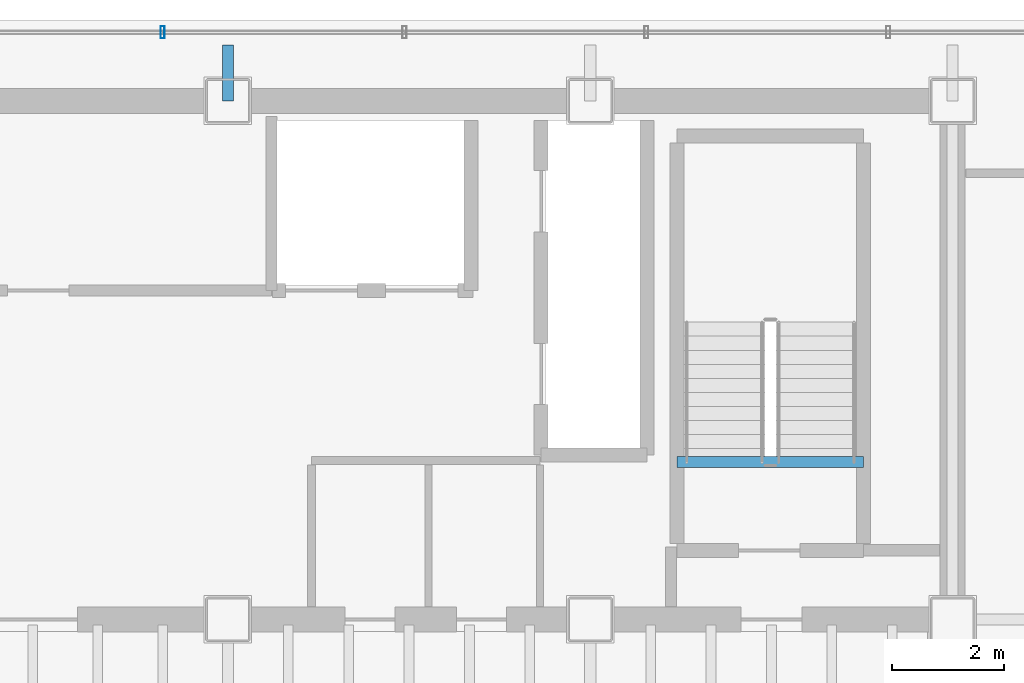
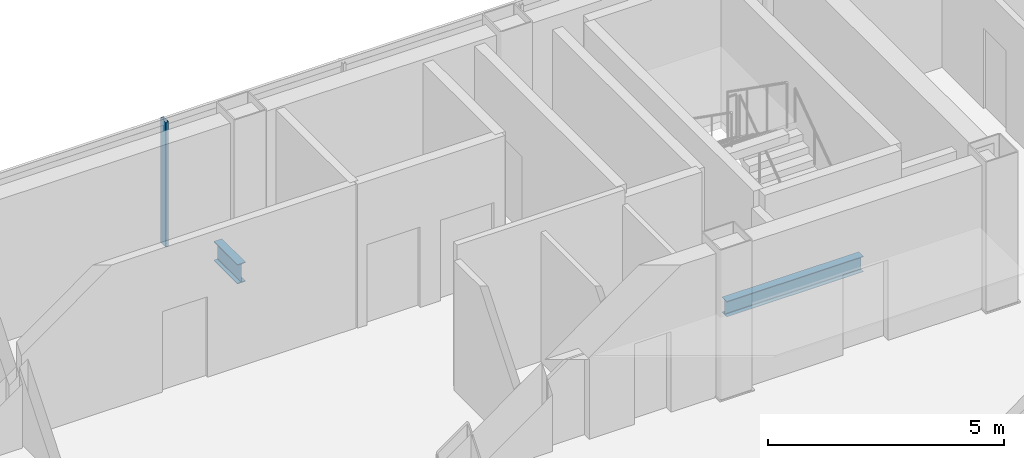
# One storey, part 7 of 15: 2 beams, 1 member, 1 element without a shape of its own.
"""IFC4 building model written with IfcOpenShell, lengths in metres."""

from ifc_helpers import new_model, si_unit, direction, frame, origin, origin_2d, place, context, subcontext, project, spatial, hollow_rectangle, i_section, extrude, material, material_profile, profile_set, type_object, element, aggregate, save


model = new_model("IFC4")

# Units and contexts
model_context = context("Model", 3, precision=1e-05, world=origin(), true_north=direction((0.0, 1.0)))
body_context = subcontext(model_context, "Body", "Model", "MODEL_VIEW")
ifc_project = project(units=[si_unit("LENGTHUNIT", "METRE"), si_unit("AREAUNIT", "SQUARE_METRE"), si_unit("VOLUMEUNIT", "CUBIC_METRE"), si_unit("PLANEANGLEUNIT", "RADIAN"), si_unit("MASSUNIT", "GRAM", prefix="KILO")], contexts=[model_context])

# Site, building, storey
site_placement = place(None, origin())
site = spatial("IfcSite", under=ifc_project, at=site_placement, CompositionType="ELEMENT")
building_placement = place(site_placement, origin())
building = spatial("IfcBuilding", under=site, at=building_placement, Name="Noeulbin Bourse Tower", CompositionType="ELEMENT")
storey_placement = place(building_placement, frame((0.0, 0.0, 222.800048828125)))
storey = spatial("IfcBuildingStorey", under=building, at=storey_placement, Name="L55", CompositionType="ELEMENT", Elevation=222.800048828125)

# Beams
ifc_material_1 = material(Name="Steel S355", Category="steel")
ifc_material_profile_1 = material_profile(ifc_material_1, i_section(OverallWidth=0.199951171875, OverallDepth=0.5, WebThickness=0.010009765625, FlangeThickness=0.01611328125, FilletRadius=0.02001953125, at=origin_2d()), Name="H-500x200x10x16", Category="LoadBearing")
ifc_profile_set_1 = profile_set([ifc_material_profile_1], Name="Steel S355")
beam_type_1 = type_object("IfcBeamType", Name="BM-GRD-500", PredefinedType="USERDEFINED", material=ifc_profile_set_1)
beam_1_placement = place(storey_placement, frame((31.0, 38.300048828125, -0.429931640625), z_axis=(0.0, 1.0, 0.0), x_axis=(-1.0, 0.0, 0.0)))
element("IfcBeam", 1, at=beam_1_placement, inside=storey, type_object=beam_type_1, Name="Tower Primary Girder NS L55-3.4", ObjectType="GIRDER", PredefinedType="USERDEFINED", context=body_context, shape_type="SweptSolid", body=[
    extrude(i_section(OverallWidth=0.199951171875, OverallDepth=0.5, WebThickness=0.010009765625, FlangeThickness=0.01611328125, FilletRadius=0.02001953125, at=origin_2d()), origin(), (0.0, 0.0, 1.0), 1.0),
])
ifc_material_profile_2 = material_profile(ifc_material_1, i_section(OverallWidth=0.199951171875, OverallDepth=0.39990234375, WebThickness=0.008056640625, FlangeThickness=0.012939453125, FilletRadius=0.01611328125, at=origin_2d()), Name="H-400x200x8x13", Category="LoadBearing")
ifc_profile_set_2 = profile_set([ifc_material_profile_2], Name="Steel S355")
beam_type_2 = type_object("IfcBeamType", Name="BM-SEC-400", PredefinedType="BEAM", material=ifc_profile_set_2)
beam_2_placement = place(storey_placement, frame((39.06005859375, 31.820068359375, -0.199951171875), z_axis=(1.0, 0.0, 0.0), x_axis=(0.0, 1.0, 0.0)))
element("IfcBeam", 2, at=beam_2_placement, inside=storey, type_object=beam_type_2, Name="Stair Threshold Trimmer Beam ST2-L55", PredefinedType="BEAM", context=body_context, shape_type="SweptSolid", body=[
    extrude(i_section(OverallWidth=0.199951171875, OverallDepth=0.39990234375, WebThickness=0.008056640625, FlangeThickness=0.012939453125, FilletRadius=0.01611328125, at=origin_2d()), origin(), (0.0, 0.0, 1.0), 3.33984375),
])

# Curtain wall, member
ifc_material_2 = material(Name="High-Selectivity Low-Iron Glazing", Category="glass")
curtain_wall_type = type_object("IfcCurtainWallType", Name="CW-SYS-4", PredefinedType="NOTDEFINED", material=ifc_material_2)
curtain_wall_placement = place(storey_placement, origin())
curtain_wall = element("IfcCurtainWall", 3, at=curtain_wall_placement, inside=storey, type_object=curtain_wall_type, Name="Unitised Curtain Wall CW-L55-N", PredefinedType="NOTDEFINED")
ifc_material_3 = material(Name="Anodised Aluminium 6063-T6", Category="aluminium")
ifc_material_profile_3 = material_profile(ifc_material_3, hollow_rectangle(XDim=0.074951171875, YDim=0.219970703125, WallThickness=0.0048828125, InnerFilletRadius=0.00244140625, OuterFilletRadius=0.0048828125, at=origin_2d()), Name="ALU-MULL-75x220x5", Category="LoadBearing")
ifc_profile_set_3 = profile_set([ifc_material_profile_3], Name="Anodised Aluminium 6063-T6")
member_type = type_object("IfcMemberType", Name="CW-SYS-4-MUL", PredefinedType="MULLION", material=ifc_profile_set_3)
member_placement = place(storey_placement, frame((29.8310546875, 39.530029296875, -0.02001953125), z_axis=(0.0, 0.0, 1.0), x_axis=(1.0, 0.0, 0.0)))
member = element("IfcMember", 4, at=member_placement, type_object=member_type, Name="Curtain Wall Mullion CW-L55-N-M04", PredefinedType="MULLION", context=body_context, shape_type="SweptSolid", body=[
    extrude(hollow_rectangle(XDim=0.074951171875, YDim=0.219970703125, WallThickness=0.0048828125, InnerFilletRadius=0.00244140625, OuterFilletRadius=0.0048828125, at=origin_2d()), origin(), (0.0, 0.0, 1.0), 3.219970703125),
])
aggregate(curtain_wall, [member])

save(model, "model.ifc")
